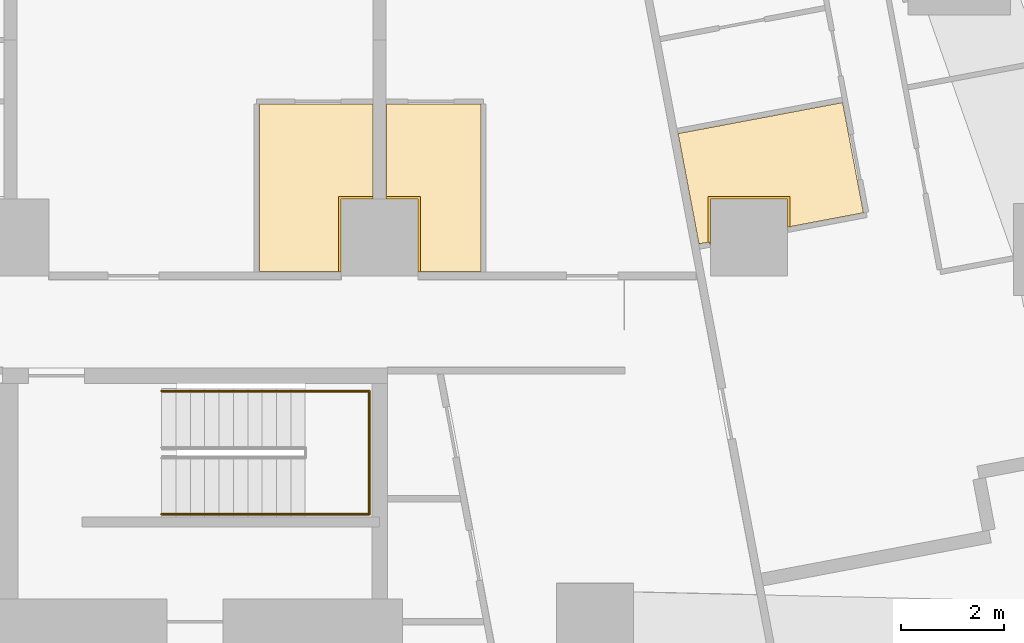
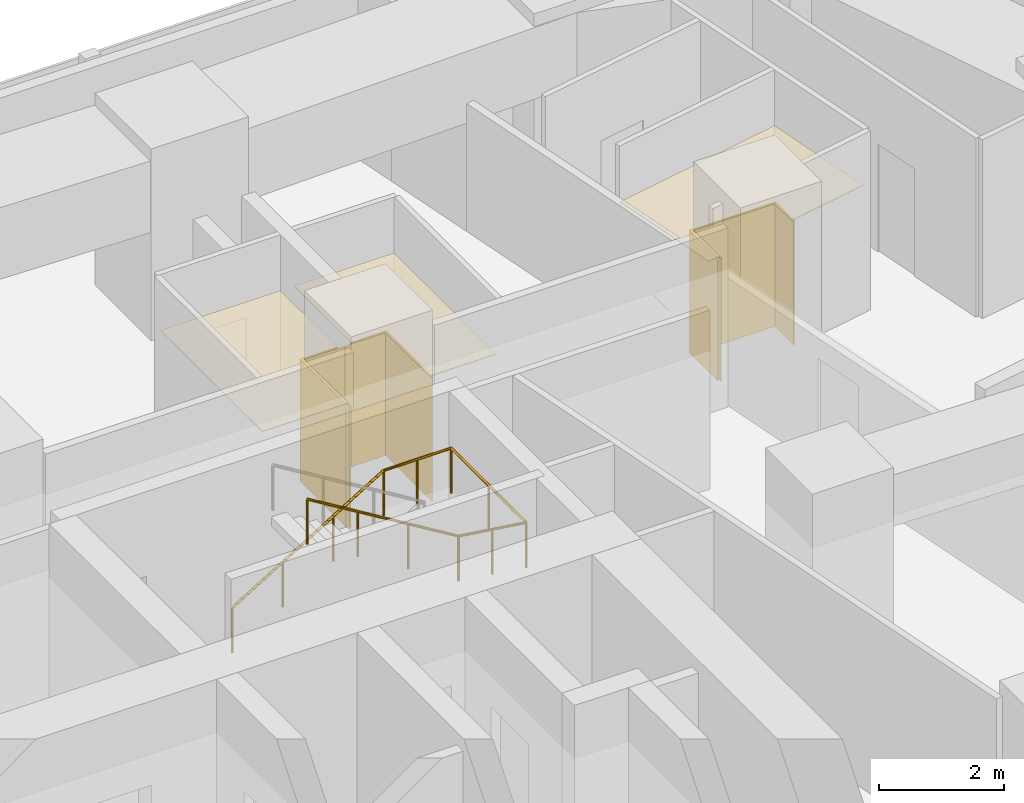
# One storey, part 15 of 15: 6 coverings, 1 railing.
"""IFC4 building model written with IfcOpenShell, lengths in metres."""

from ifc_helpers import new_model, si_unit, direction, frame, origin, origin_2d, place, context, subcontext, project, spatial, polyline, circle, outline, extrude, material, layer, layer_set, type_object, element, save


model = new_model("IFC4")

# Units and contexts
model_context = context("Model", 3, precision=1e-05, world=origin(), true_north=direction((0.0, 1.0)))
body_context = subcontext(model_context, "Body", "Model", "MODEL_VIEW")
ifc_project = project(units=[si_unit("LENGTHUNIT", "METRE"), si_unit("AREAUNIT", "SQUARE_METRE"), si_unit("VOLUMEUNIT", "CUBIC_METRE"), si_unit("PLANEANGLEUNIT", "RADIAN"), si_unit("MASSUNIT", "GRAM", prefix="KILO")], contexts=[model_context])

# Site, building, storey
site_placement = place(None, origin())
site = spatial("IfcSite", under=ifc_project, at=site_placement, CompositionType="ELEMENT")
building_placement = place(site_placement, origin())
building = spatial("IfcBuilding", under=site, at=building_placement, Name="Sheger Commons Tower", CompositionType="ELEMENT")
storey_placement = place(building_placement, frame((0.0, 0.0, 173.300048828125)))
storey = spatial("IfcBuildingStorey", under=building, at=storey_placement, Name="L44", CompositionType="ELEMENT", Elevation=173.300048828125)

# Railing
ifc_material_1 = material(Name="Steel handrail, black powder-coated", Category="steel")
railing_type = type_object("IfcRailingType", Name="HANDRAIL 900", PredefinedType="HANDRAIL", material=ifc_material_1)
railing_placement = place(storey_placement, frame((24.550048828125, 34.5, 0.17041015625)))
element("IfcRailing", 1, at=railing_placement, inside=storey, type_object=railing_type, Name="Stair S2 handrail L44", PredefinedType="HANDRAIL", context=body_context, shape_type="SweptSolid", body=[
    extrude(circle(Radius=0.02392578125, at=origin_2d()), frame((0.0, 0.0, 0.8759765625), z_axis=(0.854169791009, 0.0, 0.51999420009), x_axis=(0.0, 1.0, 0.0)), (0.0, 0.0, 1.0), 3.278076171875),
    extrude(circle(Radius=0.02392578125, at=origin_2d()), frame((2.800048828125, 0.0, 2.58056640625), z_axis=(1.0, 0.0, 0.0), x_axis=(0.0, 1.0, 0.0)), (0.0, 0.0, 1.0), 1.25),
    extrude(circle(Radius=0.02392578125, at=origin_2d()), frame((4.050048828125, 0.0, 2.58056640625), z_axis=(0.0, -1.0, 0.0), x_axis=(1.0, 0.0, 0.0)), (0.0, 0.0, 1.0), 2.39990234375),
    extrude(circle(Radius=0.02392578125, at=origin_2d()), frame((4.050048828125, -2.39990234375, 2.58056640625), z_axis=(-0.990834877927, 0.0, 0.135078661092), x_axis=(0.0, -1.0, 0.0)), (0.0, 0.0, 1.0), 1.261474609375),
    extrude(circle(Radius=0.02392578125, at=origin_2d()), frame((2.800048828125, -2.39990234375, 2.7509765625), z_axis=(-0.854169791009, 0.0, 0.51999420009), x_axis=(0.0, -1.0, 0.0)), (0.0, 0.0, 1.0), 3.278076171875),
    extrude(circle(Radius=0.02099609375, at=origin_2d()), origin(), (0.0, 0.0, 1.0), 0.851806640625),
    extrude(circle(Radius=0.02099609375, at=origin_2d()), frame((0.933349609375, 0.0, 0.568115234375)), (0.0, 0.0, 1.0), 0.851806640625),
    extrude(circle(Radius=0.02099609375, at=origin_2d()), frame((1.86669921875, 0.0, 1.136474609375)), (0.0, 0.0, 1.0), 0.851806640625),
    extrude(circle(Radius=0.02099609375, at=origin_2d()), frame((2.800048828125, 0.0, 1.70458984375)), (0.0, 0.0, 1.0), 0.851806640625),
    extrude(circle(Radius=0.02099609375, at=origin_2d()), frame((3.425048828125, 0.0, 1.70458984375)), (0.0, 0.0, 1.0), 0.851806640625),
    extrude(circle(Radius=0.02099609375, at=origin_2d()), frame((4.050048828125, 0.0, 1.70458984375)), (0.0, 0.0, 1.0), 0.851806640625),
    extrude(circle(Radius=0.02099609375, at=origin_2d()), frame((4.050048828125, -1.199951171875, 1.70458984375)), (0.0, 0.0, 1.0), 0.851806640625),
    extrude(circle(Radius=0.02099609375, at=origin_2d()), frame((4.050048828125, -2.39990234375, 1.70458984375)), (0.0, 0.0, 1.0), 0.851806640625),
    extrude(circle(Radius=0.02099609375, at=origin_2d()), frame((3.425048828125, -2.39990234375, 1.789794921875)), (0.0, 0.0, 1.0), 0.851806640625),
    extrude(circle(Radius=0.02099609375, at=origin_2d()), frame((2.800048828125, -2.39990234375, 1.875)), (0.0, 0.0, 1.0), 0.851806640625),
    extrude(circle(Radius=0.02099609375, at=origin_2d()), frame((1.86669921875, -2.39990234375, 2.443115234375)), (0.0, 0.0, 1.0), 0.851806640625),
    extrude(circle(Radius=0.02099609375, at=origin_2d()), frame((0.933349609375, -2.39990234375, 3.011474609375)), (0.0, 0.0, 1.0), 0.851806640625),
    extrude(circle(Radius=0.02099609375, at=origin_2d()), frame((0.0, -2.39990234375, 3.57958984375)), (0.0, 0.0, 1.0), 0.851806640625),
])

# Coverings
ifc_material_2 = material(Name="Moisture-resistant gypsum plasterboard 15 mm on a suspended galvanised steel grid", Category="steel")
ifc_layer_1 = layer(ifc_material_2, 0.014892578125)
ifc_layer_set_1 = layer_set([ifc_layer_1], Name="MOISTURE-RESISTANT CEILING 15")
covering_type_1 = type_object("IfcCoveringType", Name="MOISTURE-RESISTANT CEILING 15", PredefinedType="CEILING", material=ifc_layer_set_1)
covering_1_placement = place(storey_placement, frame((0.0, 0.0, 2.39990234375)))
element("IfcCovering", 2, at=covering_1_placement, inside=storey, type_object=covering_type_1, Name="L44-08.B1 ceiling", PredefinedType="CEILING", context=body_context, shape_type="SweptSolid", body=[
    extrude(outline(polyline([(35.242919921875, 37.367919921875), (35.2451171875, 37.367919921875), (35.2451171875, 38.2548828125), (36.7548828125, 38.2548828125), (36.7548828125, 37.698974609375), (38.23388671875, 37.97900390625), (37.827880859375, 40.126953125), (34.62109375, 39.52197265625), (35.027099609375, 37.3720703125), (35.235107421875, 37.410888671875), (35.242919921875, 37.367919921875)])), origin(), (0.0, 0.0, 1.0), 0.01513671875),
])
covering_2_placement = place(storey_placement, frame((0.0, 0.0, 2.39990234375)))
element("IfcCovering", 3, at=covering_2_placement, inside=storey, type_object=covering_type_1, Name="L44-14.B1 ceiling", PredefinedType="CEILING", context=body_context, shape_type="SweptSolid", body=[
    extrude(outline(polyline([(26.4541015625, 36.830078125), (28.044921875, 36.830078125), (28.044921875, 38.2548828125), (28.669921875, 38.2548828125), (28.669921875, 40.094970703125), (26.4541015625, 40.094970703125), (26.4541015625, 36.830078125)])), origin(), (0.0, 0.0, 1.0), 0.01513671875),
])
covering_3_placement = place(storey_placement, frame((0.0, 0.0, 2.39990234375)))
element("IfcCovering", 4, at=covering_3_placement, inside=storey, type_object=covering_type_1, Name="L44-15.B1 ceiling", PredefinedType="CEILING", context=body_context, shape_type="SweptSolid", body=[
    extrude(outline(polyline([(29.554931640625, 36.830078125), (30.77392578125, 36.830078125), (30.77392578125, 40.094970703125), (28.929931640625, 40.094970703125), (28.929931640625, 38.2548828125), (29.554931640625, 38.2548828125), (29.554931640625, 36.830078125)])), origin(), (0.0, 0.0, 1.0), 0.01513671875),
])
ifc_material_3 = material(Name="Moisture-resistant gypsum board 12.5 mm on 25 mm treated timber battens, tanked and tiled", Category="wood")
ifc_layer_2 = layer(ifc_material_3, 0.050048828125)
ifc_layer_set_2 = layer_set([ifc_layer_2], Name="WET-ROOM COLUMN LINING")
covering_type_2 = type_object("IfcCoveringType", Name="WET-ROOM COLUMN LINING", PredefinedType="CLADDING", material=ifc_layer_set_2)
covering_4_placement = place(storey_placement, origin())
element("IfcCovering", 5, at=covering_4_placement, inside=storey, type_object=covering_type_2, Name="Bathroom column lining C10 L44", PredefinedType="CLADDING", context=body_context, shape_type="SweptSolid", body=[
    extrude(outline(polyline([(28.675048828125, 38.300048828125), (28.675048828125, 38.2509765625), (28.800048828125, 38.2509765625), (28.800048828125, 38.25), (28.050048828125, 38.25), (28.050048828125, 36.75), (28.049072265625, 36.75), (28.049072265625, 36.824951171875), (28.0, 36.824951171875), (28.0, 38.300048828125), (28.675048828125, 38.300048828125)])), origin(), (0.0, 0.0, 1.0), 2.39990234375),
])
covering_5_placement = place(storey_placement, origin())
element("IfcCovering", 6, at=covering_5_placement, inside=storey, type_object=covering_type_2, Name="Shower room column lining C10 L44", PredefinedType="CLADDING", context=body_context, shape_type="SweptSolid", body=[
    extrude(outline(polyline([(29.60009765625, 36.824951171875), (29.551025390625, 36.824951171875), (29.551025390625, 36.75), (29.550048828125, 36.75), (29.550048828125, 38.25), (28.800048828125, 38.25), (28.800048828125, 38.2509765625), (28.925048828125, 38.2509765625), (28.925048828125, 38.300048828125), (29.60009765625, 38.300048828125), (29.60009765625, 36.824951171875)])), origin(), (0.0, 0.0, 1.0), 2.39990234375),
])
covering_6_placement = place(storey_placement, origin())
element("IfcCovering", 7, at=covering_6_placement, inside=storey, type_object=covering_type_2, Name="Bathroom column lining C10 L44", PredefinedType="CLADDING", context=body_context, shape_type="SweptSolid", body=[
    extrude(outline(polyline([(36.800048828125, 38.300048828125), (36.800048828125, 37.701904296875), (36.7509765625, 37.693115234375), (36.760009765625, 37.64404296875), (36.75, 37.64208984375), (36.75, 38.25), (35.25, 38.25), (35.25, 37.35791015625), (35.239990234375, 37.35595703125), (35.23095703125, 37.405029296875), (35.199951171875, 37.39892578125), (35.199951171875, 38.300048828125), (36.800048828125, 38.300048828125)])), origin(), (0.0, 0.0, 1.0), 2.39990234375),
])

save(model, "model.ifc")
